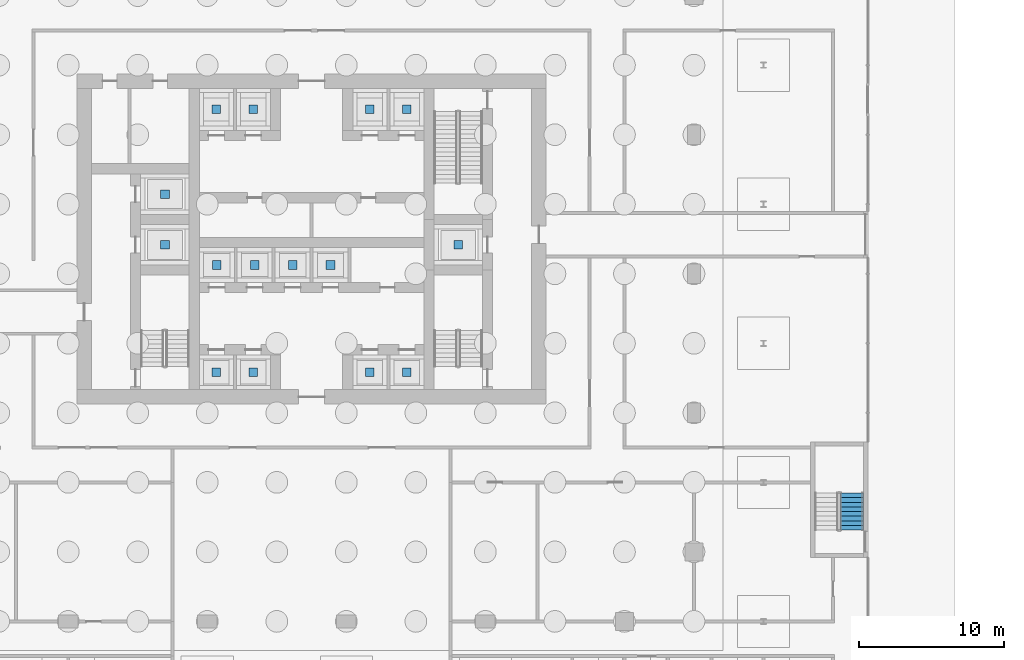
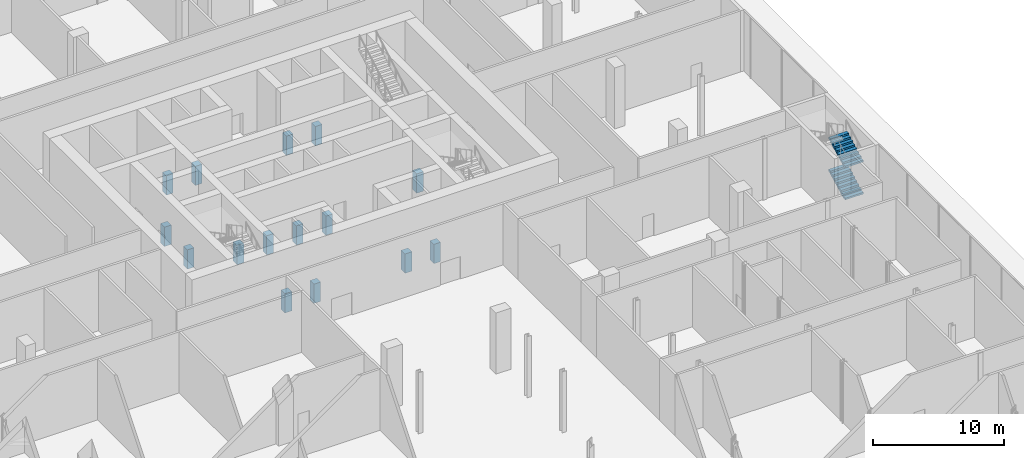
# One storey, part 38 of 44: 15 discrete accessories, 2 stair flights, 1 element without a shape of its own.
"""IFC4 building model written with IfcOpenShell, lengths in metres."""

from ifc_helpers import new_model, si_unit, direction, frame, origin, origin_2d, place, context, subcontext, project, spatial, polyline, rectangle, outline, extrude, material, type_object, element, aggregate, save


model = new_model("IFC4")

# Units and contexts
model_context = context("Model", 3, precision=1e-05, world=origin(), true_north=direction((0.0, 1.0)))
body_context = subcontext(model_context, "Body", "Model", "MODEL_VIEW")
ifc_project = project(units=[si_unit("LENGTHUNIT", "METRE"), si_unit("AREAUNIT", "SQUARE_METRE"), si_unit("VOLUMEUNIT", "CUBIC_METRE"), si_unit("PLANEANGLEUNIT", "RADIAN"), si_unit("MASSUNIT", "GRAM", prefix="KILO")], contexts=[model_context])

# Site, building, storey
site_placement = place(None, origin())
site = spatial("IfcSite", under=ifc_project, at=site_placement, CompositionType="ELEMENT")
building_placement = place(site_placement, origin())
building = spatial("IfcBuilding", under=site, at=building_placement, Name="Madar Terraces", CompositionType="ELEMENT")
storey_placement = place(building_placement, origin())
storey = spatial("IfcBuildingStorey", under=building, at=storey_placement, Name="L00", CompositionType="ELEMENT", Elevation=0.0)

# Stair, stair flights
ifc_material_1 = material(Name="Concrete C50/60", Category="concrete")
stair_type = type_object("IfcStairType", Name="Stair PS3 protected exit", PredefinedType="HALF_TURN_STAIR", material=ifc_material_1)
stair_placement = place(storey_placement, origin())
stair = element("IfcStair", 1, at=stair_placement, inside=storey, type_object=stair_type, Name="L00 Protected Exit Stair PS3", PredefinedType="HALF_TURN_STAIR")
ifc_material_2 = material(Name="Concrete C50/60", Category="concrete")
stair_flight_type = type_object("IfcStairFlightType", Name="Stair flight PS3-F1, 1600 wide, 9 risers", PredefinedType="STRAIGHT", material=ifc_material_2)
stair_flight_1_placement = place(storey_placement, frame((68.5, 6.300048828125, 0.0), z_axis=(0.0, 0.0, 1.0), x_axis=(0.0, 1.0, 0.0)))
stair_flight_1 = element("IfcStairFlight", 2, at=stair_flight_1_placement, type_object=stair_flight_type, Name="PS3 flight 1", NumberOfRisers=9, NumberOfTreads=8, PredefinedType="STRAIGHT", RiserHeight=0.166666667, TreadLength=0.32, context=body_context, shape_type="SweptSolid", body=[
    extrude(outline(polyline([(0.0, 0.0), (0.0, 0.166748046875), (0.320068359375, 0.166748046875), (0.320068359375, 0.333251953125), (0.639892578125, 0.333251953125), (0.639892578125, 0.5), (0.9599609375, 0.5), (0.9599609375, 0.666748046875), (1.280029296875, 0.666748046875), (1.280029296875, 0.833251953125), (1.60009765625, 0.833251953125), (1.60009765625, 1.0), (1.919921875, 1.0), (1.919921875, 1.166748046875), (2.239990234375, 1.166748046875), (2.239990234375, 1.333251953125), (2.56005859375, 1.333251953125), (2.56005859375, 1.5), (2.56005859375, 1.164306640625), (0.324462890625, 0.0), (0.0, 0.0)])), frame((0.0, 0.800048828125, 0.0), z_axis=(0.0, -1.0, 0.0), x_axis=(1.0, 0.0, 0.0)), (0.0, 0.0, 1.0), 1.60009765625),
])
stair_flight_2_placement = place(storey_placement, frame((68.5, 6.300048828125, 3.0), z_axis=(0.0, 0.0, 1.0), x_axis=(0.0, 1.0, 0.0)))
stair_flight_2 = element("IfcStairFlight", 3, at=stair_flight_2_placement, type_object=stair_flight_type, Name="PS3 flight 3", NumberOfRisers=9, NumberOfTreads=8, PredefinedType="STRAIGHT", RiserHeight=0.166666667, TreadLength=0.32, context=body_context, shape_type="SweptSolid", body=[
    extrude(outline(polyline([(0.0, 0.0), (0.0, 0.166748046875), (0.320068359375, 0.166748046875), (0.320068359375, 0.333251953125), (0.639892578125, 0.333251953125), (0.639892578125, 0.5), (0.9599609375, 0.5), (0.9599609375, 0.666748046875), (1.280029296875, 0.666748046875), (1.280029296875, 0.833251953125), (1.60009765625, 0.833251953125), (1.60009765625, 1.0), (1.919921875, 1.0), (1.919921875, 1.166748046875), (2.239990234375, 1.166748046875), (2.239990234375, 1.333251953125), (2.56005859375, 1.333251953125), (2.56005859375, 1.5), (2.56005859375, 1.164306640625), (0.324462890625, 0.0), (0.0, 0.0)])), frame((0.0, 0.800048828125, 0.0), z_axis=(0.0, -1.0, 0.0), x_axis=(1.0, 0.0, 0.0)), (0.0, 0.0, 1.0), 1.60009765625),
])
aggregate(stair, [stair_flight_1, stair_flight_2])

# Discrete accessories
ifc_material_3 = material(Name="Steel, galvanised", Category="steel")
discrete_accessory_type = type_object("IfcDiscreteAccessoryType", Name="Lift car buffer support", PredefinedType="BRACKET", material=ifc_material_3)
for number, where, z_axis, x_axis, name in (
    (4, (24.625, 17.199951171875, -1.7998046875), (0.0, 0.0, 1.0), (1.0, 0.0, 0.0), "LIFT LR1 BUFFER"),
    (5, (27.175048828125, 17.199951171875, -1.7998046875), (0.0, 0.0, 1.0), (1.0, 0.0, 0.0), "LIFT LR2 BUFFER"),
    (6, (35.22509765625, 17.199951171875, -1.7998046875), (0.0, 0.0, 1.0), (1.0, 0.0, 0.0), "LIFT LR3 BUFFER"),
    (7, (37.77490234375, 17.199951171875, -1.7998046875), (0.0, 0.0, 1.0), (1.0, 0.0, 0.0), "LIFT LR4 BUFFER"),
    (8, (24.658447265625, 24.60009765625, -1.7998046875), (0.0, 0.0, 1.0), (1.0, 0.0, 0.0), "LIFT LR5 BUFFER"),
    (9, (27.27490234375, 24.60009765625, -1.7998046875), (0.0, 0.0, 1.0), (1.0, 0.0, 0.0), "LIFT LR6 BUFFER"),
    (10, (24.625, 35.35009765625, -1.7998046875), (0.0, 0.0, 1.0), (1.0, 0.0, 0.0), "LIFT SH1 BUFFER"),
    (11, (27.175048828125, 35.35009765625, -1.7998046875), (0.0, 0.0, 1.0), (1.0, 0.0, 0.0), "LIFT SH2 BUFFER"),
    (12, (35.22509765625, 35.35009765625, -1.7998046875), (0.0, 0.0, 1.0), (1.0, 0.0, 0.0), "LIFT SH3 BUFFER"),
    (13, (37.77490234375, 35.35009765625, -1.7998046875), (0.0, 0.0, 1.0), (1.0, 0.0, 0.0), "LIFT SH4 BUFFER"),
    (14, (29.8916015625, 24.60009765625, -1.7998046875), (0.0, 0.0, 1.0), (1.0, 0.0, 0.0), "LIFT OB1 BUFFER"),
    (15, (32.50830078125, 24.60009765625, -1.7998046875), (0.0, 0.0, 1.0), (1.0, 0.0, 0.0), "LIFT OB2 BUFFER"),
    (16, (21.074951171875, 26.0, -1.7998046875), (0.0, 0.0, 1.0), (1.0, 0.0, 0.0), "LIFT FF1 BUFFER"),
    (17, (21.074951171875, 29.5, -1.7998046875), (0.0, 0.0, 1.0), (1.0, 0.0, 0.0), "LIFT FF2 BUFFER"),
    (18, (41.324951171875, 26.0, -1.7998046875), (0.0, 0.0, 1.0), (1.0, 0.0, 0.0), "LIFT FF3 BUFFER"),
):
    element("IfcDiscreteAccessory", number, at=place(storey_placement, frame(where, z_axis=z_axis, x_axis=x_axis)), inside=storey, type_object=discrete_accessory_type, Name=name, PredefinedType="BRACKET", context=body_context, shape_type="SweptSolid", body=[
        extrude(rectangle(XDim=0.60009765625, YDim=0.60009765625, at=origin_2d()), origin(), (0.0, 0.0, 1.0), 1.800048828125),
    ])

save(model, "model.ifc")
